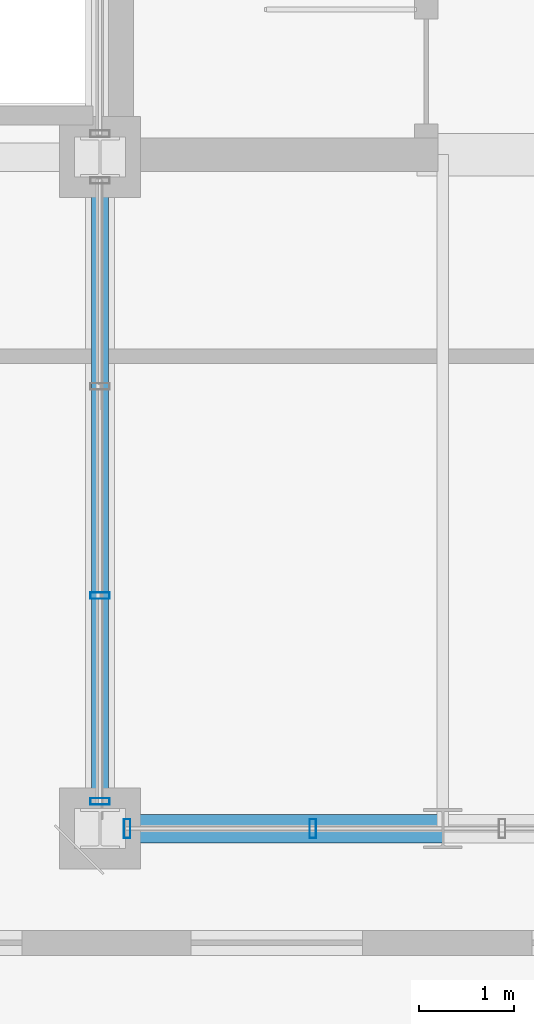
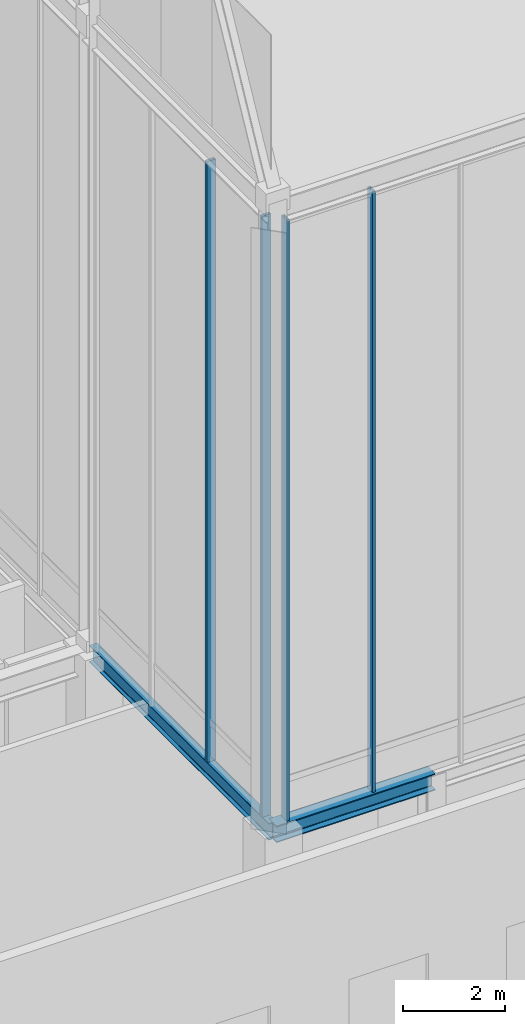
# One storey, part 2 of 49: 4 members, 2 beams, 2 elements without a shape of their own.
"""IFC4 building model written with IfcOpenShell, lengths in metres."""

from ifc_helpers import new_model, si_unit, direction, frame, origin, origin_2d, place, context, subcontext, project, spatial, hollow_rectangle, i_section, extrude, source, transform, mapped, material, layer, layer_set, material_profile, profile_set, type_object, element, aggregate, save


model = new_model("IFC4")

# Units and contexts
model_context = context("Model", 3, precision=1e-05, world=origin(), true_north=direction((0.0, 1.0)))
body_context = subcontext(model_context, "Body", "Model", "MODEL_VIEW")
ifc_project = project(units=[si_unit("LENGTHUNIT", "METRE"), si_unit("AREAUNIT", "SQUARE_METRE"), si_unit("VOLUMEUNIT", "CUBIC_METRE"), si_unit("PLANEANGLEUNIT", "RADIAN"), si_unit("MASSUNIT", "GRAM", prefix="KILO")], contexts=[model_context])

# Site, building, storey
site_placement = place(None, origin())
site = spatial("IfcSite", under=ifc_project, at=site_placement, CompositionType="ELEMENT")
building_placement = place(site_placement, origin())
building = spatial("IfcBuilding", under=site, at=building_placement, Name="Kaliganga Portal Commons", CompositionType="ELEMENT")
storey_placement = place(building_placement, frame((0.0, 0.0, 298.0)))
storey = spatial("IfcBuildingStorey", under=building, at=storey_placement, Name="L77", CompositionType="ELEMENT", Elevation=298.0)

# Beams
ifc_material_1 = material(Name="Structural steel S355J2", Category="steel")
ifc_material_profile_1 = material_profile(ifc_material_1, i_section(OverallWidth=0.300048828125, OverallDepth=0.39990234375, WebThickness=0.013427734375, FlangeThickness=0.02392578125, FilletRadius=0.027099609375, at=origin_2d()), Name="HE 400 B")
ifc_profile_set_1 = profile_set([ifc_material_profile_1], Name="Structural steel S355J2 wide-flange")
beam_type_1 = type_object("IfcBeamType", Name="BM-SPAND-400", PredefinedType="SPANDREL", material=ifc_profile_set_1)
shared_shape_1 = source(origin(), body_context, "Body", "SweptSolid", [
    extrude(i_section(OverallWidth=0.300048828125, OverallDepth=0.39990234375, WebThickness=0.013427734375, FlangeThickness=0.02392578125, FilletRadius=0.027099609375, at=origin_2d()), origin(), (0.0, 0.0, 1.0), 3.60009765625),
])
beam_1_placement = place(storey_placement, frame((14.39990234375, 21.60009765625, 5.800048828125), z_axis=(1.0, 0.0, 0.0), x_axis=(0.0, 1.0, 0.0)))
element("IfcBeam", 1, at=beam_1_placement, inside=storey, type_object=beam_type_1, Name="BM SP L77 AS 1", PredefinedType="SPANDREL", context=body_context, shape_type="MappedRepresentation", body=[
    mapped(shared_shape_1, transform((0.0, 0.0, 0.0), x_axis=(1.0, 0.0, 0.0), y_axis=(0.0, 1.0, 0.0), z_axis=(0.0, 0.0, 1.0), scale=1.0)),
])
ifc_material_profile_2 = material_profile(ifc_material_1, i_section(OverallWidth=0.179931640625, OverallDepth=0.39990234375, WebThickness=0.008544921875, FlangeThickness=0.013427734375, FilletRadius=0.02099609375, at=origin_2d()), Name="IPE 400")
ifc_profile_set_2 = profile_set([ifc_material_profile_2], Name="Structural steel S355J2 wide-flange")
beam_type_2 = type_object("IfcBeamType", Name="BM-FLR-400", PredefinedType="BEAM", material=ifc_profile_set_2)
shared_shape_2 = source(origin(), body_context, "Body", "SweptSolid", [
    extrude(i_section(OverallWidth=0.179931640625, OverallDepth=0.39990234375, WebThickness=0.008544921875, FlangeThickness=0.013427734375, FilletRadius=0.02099609375, at=origin_2d()), origin(), (0.0, 0.0, 1.0), 7.0498046875),
])
beam_2_placement = place(storey_placement, frame((14.39990234375, 21.60009765625, 5.800048828125), z_axis=(0.0, 1.0, 0.0), x_axis=(-1.0, 0.0, 0.0)))
element("IfcBeam", 2, at=beam_2_placement, inside=storey, type_object=beam_type_2, Name="BM G L77 AS144", PredefinedType="BEAM", context=body_context, shape_type="MappedRepresentation", body=[
    mapped(shared_shape_2, transform((0.0, 0.0, 0.0), x_axis=(1.0, 0.0, 0.0), y_axis=(0.0, 1.0, 0.0), z_axis=(0.0, 0.0, 1.0), scale=1.0)),
])

# Curtain wall, members
ifc_material_2 = material(Name="Anodized Aluminium and Laminated Low-E Glass", Category="aluminium")
ifc_layer = layer(ifc_material_2, 0.25)
ifc_layer_set = layer_set([ifc_layer], Name="Anodized Aluminium and Laminated Low-E Glass")
curtain_wall_type = type_object("IfcCurtainWallType", Name="CW-SYS-06", PredefinedType="NOTDEFINED", material=ifc_layer_set)
curtain_wall_1_placement = place(storey_placement, origin())
curtain_wall_1 = element("IfcCurtainWall", 3, at=curtain_wall_1_placement, inside=storey, type_object=curtain_wall_type, Name="CW 06 L77 SW", PredefinedType="NOTDEFINED")
ifc_material_3 = material(Name="Dark Bronze Anodized Aluminium", Category="aluminium")
ifc_material_profile_3 = material_profile(ifc_material_3, hollow_rectangle(XDim=0.070068359375, YDim=0.199951171875, WallThickness=0.00390625, at=origin_2d()), Name="ALU MULL 70x200x4")
ifc_profile_set_3 = profile_set([ifc_material_profile_3], Name="Dark Bronze Anodized Aluminium")
member_type = type_object("IfcMemberType", Name="CW-MUL-220", PredefinedType="MULLION", material=ifc_profile_set_3)
shared_shape_3 = source(origin(), body_context, "Body", "SweptSolid", [
    extrude(hollow_rectangle(XDim=0.070068359375, YDim=0.199951171875, WallThickness=0.00390625, at=origin_2d()), origin(), (0.0, 0.0, 1.0), 14.39990234375),
])
member_1_placement = place(storey_placement, frame((14.68505859375, 21.60009765625, 6.0), z_axis=(0.0, 0.0, 1.0), x_axis=(1.0, 0.0, 0.0)))
member_1 = element("IfcMember", 4, at=member_1_placement, type_object=member_type, Name="CW:06:L77:SW Mullion 00", PredefinedType="MULLION", context=body_context, shape_type="MappedRepresentation", body=[
    mapped(shared_shape_3, transform((0.0, 0.0, 0.0), x_axis=(1.0, 0.0, 0.0), y_axis=(0.0, 1.0, 0.0), z_axis=(0.0, 0.0, 1.0), scale=1.0)),
])
member_2_placement = place(storey_placement, frame((16.6357421875, 21.60009765625, 6.0), z_axis=(0.0, 0.0, 1.0), x_axis=(1.0, 0.0, 0.0)))
member_2 = element("IfcMember", 5, at=member_2_placement, type_object=member_type, Name="CW:06:L77:SW Mullion 01", PredefinedType="MULLION", context=body_context, shape_type="MappedRepresentation", body=[
    mapped(shared_shape_3, transform((0.0, 0.0, 0.0), x_axis=(1.0, 0.0, 0.0), y_axis=(0.0, 1.0, 0.0), z_axis=(0.0, 0.0, 1.0), scale=1.0)),
])
aggregate(curtain_wall_1, [member_1, member_2])

curtain_wall_2_placement = place(storey_placement, origin())
curtain_wall_2 = element("IfcCurtainWall", 6, at=curtain_wall_2_placement, inside=storey, type_object=curtain_wall_type, Name="CW 06 L77 WS", PredefinedType="NOTDEFINED")
member_3_placement = place(storey_placement, frame((14.39990234375, 21.885009765625, 6.0), z_axis=(0.0, 0.0, 1.0), x_axis=(0.0, 1.0, 0.0)))
member_3 = element("IfcMember", 7, at=member_3_placement, type_object=member_type, Name="CW:06:L77:WS Mullion 00", PredefinedType="MULLION", context=body_context, shape_type="MappedRepresentation", body=[
    mapped(shared_shape_3, transform((0.0, 0.0, 0.0), x_axis=(1.0, 0.0, 0.0), y_axis=(0.0, 1.0, 0.0), z_axis=(0.0, 0.0, 1.0), scale=1.0)),
])
member_4_placement = place(storey_placement, frame((14.39990234375, 24.046630859375, 6.0), z_axis=(0.0, 0.0, 1.0), x_axis=(0.0, 1.0, 0.0)))
member_4 = element("IfcMember", 8, at=member_4_placement, type_object=member_type, Name="CW:06:L77:WS Mullion 01", PredefinedType="MULLION", context=body_context, shape_type="MappedRepresentation", body=[
    mapped(shared_shape_3, transform((0.0, 0.0, 0.0), x_axis=(1.0, 0.0, 0.0), y_axis=(0.0, 1.0, 0.0), z_axis=(0.0, 0.0, 1.0), scale=1.0)),
])
aggregate(curtain_wall_2, [member_3, member_4])

save(model, "model.ifc")
